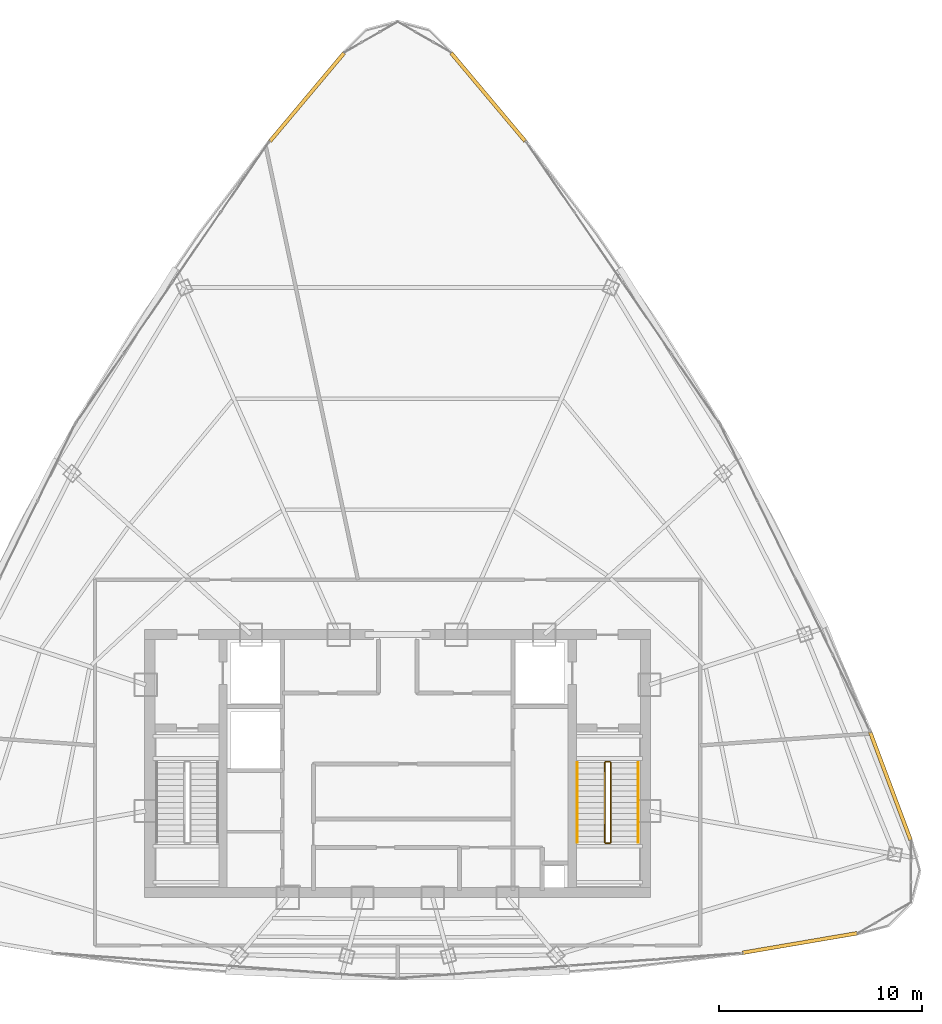
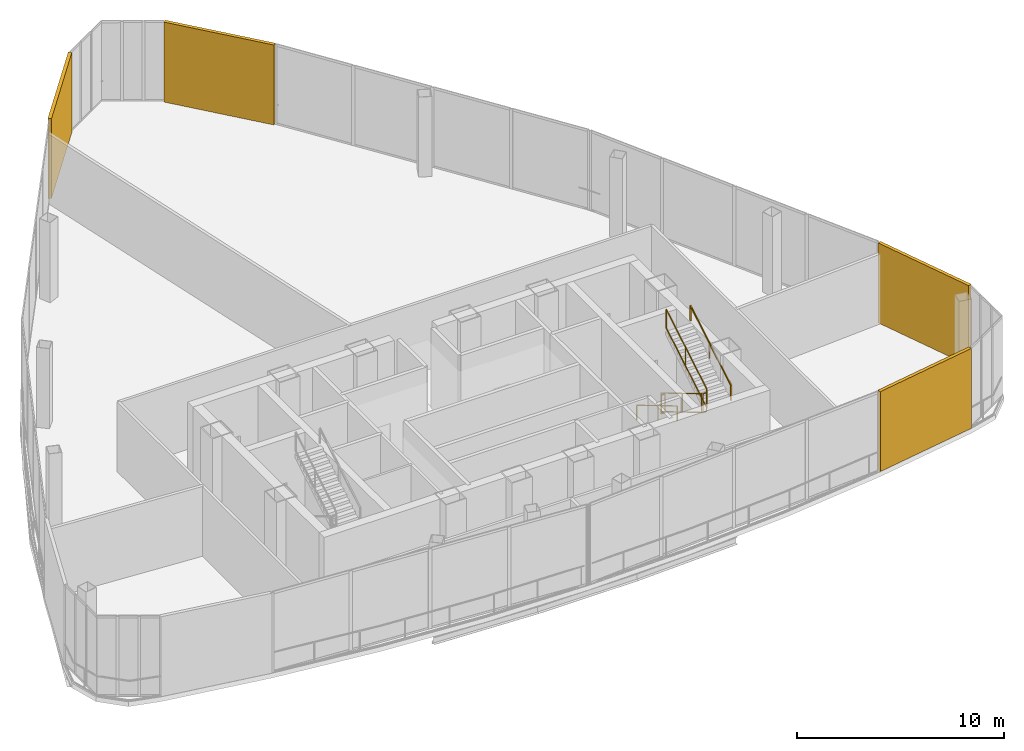
# One storey, part 33 of 33: 6 railings, 4 shading devices.
"""IFC4 building model written with IfcOpenShell, lengths in metres."""

from ifc_helpers import new_model, si_unit, direction, frame, origin, origin_2d, place, context, subcontext, project, spatial, rectangle, extrude, source, transform, mapped, material, layer, layer_set, type_object, element, save


model = new_model("IFC4")

# Units and contexts
model_context = context("Model", 3, precision=1e-05, world=origin(), true_north=direction((0.0, 1.0)))
body_context = subcontext(model_context, "Body", "Model", "MODEL_VIEW")
ifc_project = project(units=[si_unit("LENGTHUNIT", "METRE"), si_unit("AREAUNIT", "SQUARE_METRE"), si_unit("VOLUMEUNIT", "CUBIC_METRE"), si_unit("PLANEANGLEUNIT", "RADIAN"), si_unit("MASSUNIT", "GRAM", prefix="KILO"), si_unit("THERMODYNAMICTEMPERATUREUNIT", "KELVIN"), si_unit("POWERUNIT", "WATT")], contexts=[model_context])

# Site, building, storey
site_placement = place(None, origin())
site = spatial("IfcSite", under=ifc_project, at=site_placement, CompositionType="ELEMENT")
building_placement = place(site_placement, origin())
building = spatial("IfcBuilding", under=site, at=building_placement, Name="Yunzhuo Pagoda Commons", CompositionType="ELEMENT")
storey_placement = place(building_placement, frame((0.0, 0.0, 386.760009765625)))
storey = spatial("IfcBuildingStorey", under=building, at=storey_placement, Name="L96", CompositionType="ELEMENT", Elevation=386.760009765625)

# Railings
ifc_material = material(Name="Anodized aluminium 6063-T6", Category="aluminium")
railing_type_1 = type_object("IfcRailingType", Name="GR-ST2 Stair Well Guardrail 1160", PredefinedType="GUARDRAIL", material=ifc_material)
railing_1_placement = place(storey_placement, frame((58.199951171875, 33.89990234375, 0.166748046875)))
element("IfcRailing", 1, at=railing_1_placement, inside=storey, type_object=railing_type_1, Name="L96 ST2 stair guard 1", PredefinedType="GUARDRAIL", context=body_context, shape_type="SweptSolid", body=[
    extrude(rectangle(XDim=0.048095703125, YDim=0.048095703125, at=origin_2d()), frame((0.0, 0.0, 1.1259765625), z_axis=(0.0, -0.859296244711, 0.511478214419), x_axis=(1.0, 0.0, 0.0)), (0.0, 0.0, 1.0), 4.561767578125),
    extrude(rectangle(XDim=0.048095703125, YDim=0.048095703125, at=origin_2d()), frame((0.0, 0.0, 0.02392578125), z_axis=(0.0, -0.859296244711, 0.511478214419), x_axis=(1.0, 0.0, 0.0)), (0.0, 0.0, 1.0), 4.561767578125),
    extrude(rectangle(XDim=0.0419921875, YDim=0.0419921875, at=origin_2d()), origin(), (0.0, 0.0, 1.0), 1.101806640625),
    extrude(rectangle(XDim=0.0419921875, YDim=0.0419921875, at=origin_2d()), frame((0.0, -2.062255859375, 1.2275390625)), (0.0, 0.0, 1.0), 1.101806640625),
    extrude(rectangle(XDim=0.0419921875, YDim=0.0419921875, at=origin_2d()), frame((0.0, -3.919921875, 2.333251953125)), (0.0, 0.0, 1.0), 1.101806640625),
])
railing_2_placement = place(storey_placement, frame((58.25, 29.929931640625, 2.5)))
element("IfcRailing", 2, at=railing_2_placement, inside=storey, type_object=railing_type_1, Name="L96 ST2 stair guard 2", PredefinedType="GUARDRAIL", context=body_context, shape_type="SweptSolid", body=[
    extrude(rectangle(XDim=0.048095703125, YDim=0.048095703125, at=origin_2d()), frame((0.0, 0.0, 1.1259765625), z_axis=(1.0, 0.0, 0.0), x_axis=(0.0, 1.0, 0.0)), (0.0, 0.0, 1.0), 0.199951171875),
    extrude(rectangle(XDim=0.048095703125, YDim=0.048095703125, at=origin_2d()), frame((0.0, 0.0, 0.02392578125), z_axis=(1.0, 0.0, 0.0), x_axis=(0.0, 1.0, 0.0)), (0.0, 0.0, 1.0), 0.199951171875),
    extrude(rectangle(XDim=0.0419921875, YDim=0.0419921875, at=origin_2d()), origin(), (0.0, 0.0, 1.0), 1.101806640625),
    extrude(rectangle(XDim=0.0419921875, YDim=0.0419921875, at=origin_2d()), frame((0.199951171875, 0.0, 0.0)), (0.0, 0.0, 1.0), 1.101806640625),
])
railing_3_placement = place(storey_placement, frame((58.5, 29.97998046875, 2.666748046875)))
element("IfcRailing", 3, at=railing_3_placement, inside=storey, type_object=railing_type_1, Name="L96 ST2 stair guard 3", PredefinedType="GUARDRAIL", context=body_context, shape_type="SweptSolid", body=[
    extrude(rectangle(XDim=0.048095703125, YDim=0.048095703125, at=origin_2d()), frame((0.0, 0.0, 1.1259765625), z_axis=(0.0, 0.859296244711, 0.511478214419), x_axis=(-1.0, 0.0, 0.0)), (0.0, 0.0, 1.0), 4.561767578125),
    extrude(rectangle(XDim=0.048095703125, YDim=0.048095703125, at=origin_2d()), frame((0.0, 0.0, 0.02392578125), z_axis=(0.0, 0.859296244711, 0.511478214419), x_axis=(-1.0, 0.0, 0.0)), (0.0, 0.0, 1.0), 4.561767578125),
    extrude(rectangle(XDim=0.0419921875, YDim=0.0419921875, at=origin_2d()), origin(), (0.0, 0.0, 1.0), 1.101806640625),
    extrude(rectangle(XDim=0.0419921875, YDim=0.0419921875, at=origin_2d()), frame((0.0, 2.062255859375, 1.2275390625)), (0.0, 0.0, 1.0), 1.101806640625),
    extrude(rectangle(XDim=0.0419921875, YDim=0.0419921875, at=origin_2d()), frame((0.0, 3.919921875, 2.333251953125)), (0.0, 0.0, 1.0), 1.101806640625),
])
railing_4_placement = place(storey_placement, frame((58.25, 33.949951171875, 0.0)))
element("IfcRailing", 4, at=railing_4_placement, inside=storey, type_object=railing_type_1, Name="L96 ST2 stair guard 4", PredefinedType="GUARDRAIL", context=body_context, shape_type="SweptSolid", body=[
    extrude(rectangle(XDim=0.048095703125, YDim=0.048095703125, at=origin_2d()), frame((0.0, 0.0, 1.1259765625), z_axis=(1.0, 0.0, 0.0), x_axis=(0.0, 1.0, 0.0)), (0.0, 0.0, 1.0), 0.199951171875),
    extrude(rectangle(XDim=0.048095703125, YDim=0.048095703125, at=origin_2d()), frame((0.0, 0.0, 0.02392578125), z_axis=(1.0, 0.0, 0.0), x_axis=(0.0, 1.0, 0.0)), (0.0, 0.0, 1.0), 0.199951171875),
    extrude(rectangle(XDim=0.0419921875, YDim=0.0419921875, at=origin_2d()), origin(), (0.0, 0.0, 1.0), 1.101806640625),
    extrude(rectangle(XDim=0.0419921875, YDim=0.0419921875, at=origin_2d()), frame((0.199951171875, 0.0, 0.0)), (0.0, 0.0, 1.0), 1.101806640625),
])
railing_type_2 = type_object("IfcRailingType", Name="HR-ST2 Stair Handrail 900", PredefinedType="HANDRAIL", material=ifc_material)
railing_5_placement = place(storey_placement, frame((56.85009765625, 33.89990234375, 0.166748046875)))
element("IfcRailing", 5, at=railing_5_placement, inside=storey, type_object=railing_type_2, Name="L96 ST2 stair handrail 1", PredefinedType="HANDRAIL", context=body_context, shape_type="SweptSolid", body=[
    extrude(rectangle(XDim=0.048095703125, YDim=0.048095703125, at=origin_2d()), frame((0.0, 0.0, 0.8759765625), z_axis=(0.0, -0.859296244711, 0.511478214419), x_axis=(1.0, 0.0, 0.0)), (0.0, 0.0, 1.0), 4.561767578125),
    extrude(rectangle(XDim=0.0419921875, YDim=0.0419921875, at=origin_2d()), origin(), (0.0, 0.0, 1.0), 0.851806640625),
    extrude(rectangle(XDim=0.0419921875, YDim=0.0419921875, at=origin_2d()), frame((0.0, -2.062255859375, 1.2275390625)), (0.0, 0.0, 1.0), 0.851806640625),
    extrude(rectangle(XDim=0.0419921875, YDim=0.0419921875, at=origin_2d()), frame((0.0, -3.919921875, 2.333251953125)), (0.0, 0.0, 1.0), 0.851806640625),
])
railing_6_placement = place(storey_placement, frame((59.85009765625, 29.97998046875, 2.666748046875)))
element("IfcRailing", 6, at=railing_6_placement, inside=storey, type_object=railing_type_2, Name="L96 ST2 stair handrail 2", PredefinedType="HANDRAIL", context=body_context, shape_type="SweptSolid", body=[
    extrude(rectangle(XDim=0.048095703125, YDim=0.048095703125, at=origin_2d()), frame((0.0, 0.0, 0.8759765625), z_axis=(0.0, 0.859296244711, 0.511478214419), x_axis=(-1.0, 0.0, 0.0)), (0.0, 0.0, 1.0), 4.561767578125),
    extrude(rectangle(XDim=0.0419921875, YDim=0.0419921875, at=origin_2d()), origin(), (0.0, 0.0, 1.0), 0.851806640625),
    extrude(rectangle(XDim=0.0419921875, YDim=0.0419921875, at=origin_2d()), frame((0.0, 2.062255859375, 1.2275390625)), (0.0, 0.0, 1.0), 0.851806640625),
    extrude(rectangle(XDim=0.0419921875, YDim=0.0419921875, at=origin_2d()), frame((0.0, 3.919921875, 2.333251953125)), (0.0, 0.0, 1.0), 0.851806640625),
])

# Shading devices
ifc_layer = layer(ifc_material, 0.179931640625)
ifc_layer_set = layer_set([ifc_layer], Name="Anodized aluminium 6063-T6")
shading_device_type = type_object("IfcShadingDeviceType", Name="SH-SCR2 Crown Drum Acoustic Louvre Screen", PredefinedType="JALOUSIE", material=ifc_layer_set)
shared_shape_1 = source(origin(), body_context, "Body", "SweptSolid", [
    extrude(rectangle(XDim=5.72314453125, YDim=0.179931640625, at=origin_2d()), origin(), (0.0, 0.0, 1.0), 4.719970703125),
])
shading_device_placement = place(storey_placement, frame((67.798583984375, 25.014404296875, 0.0), z_axis=(0.0, 0.0, 1.0), x_axis=(0.985803279142, 0.16790442172, 0.0)))
element("IfcShadingDevice", 7, at=shading_device_placement, inside=storey, type_object=shading_device_type, Name="L96 crown plant drum screen F1.7", PredefinedType="JALOUSIE", context=body_context, shape_type="MappedRepresentation", body=[
    mapped(shared_shape_1, transform((0.0, 0.0, 0.0), scale=1.0)),
])
shared_shape_2 = source(origin(), body_context, "Body", "SweptSolid", [
    extrude(rectangle(XDim=5.67724609375, YDim=0.179931640625, at=origin_2d()), origin(), (0.0, 0.0, 1.0), 4.719970703125),
])
for number, where, z_axis, x_axis, name in (
    (8, (72.258544921875, 32.74169921875, 0.0), (0.0, 0.0, 1.0), (-0.350697773643, 0.936488692704, 0.0), "L96 crown plant drum screen F2.0"),
    (9, (52.460205078125, 66.658203125, 0.0), (0.0, 0.0, 1.0), (-0.643014871351, 0.76585369048, 0.0), "L96 crown plant drum screen F2.7"),
    (10, (43.539794921875, 66.658203125, 0.0), (0.0, 0.0, 1.0), (-0.643014871351, -0.76585369048, 0.0), "L96 crown plant drum screen F3.0"),
):
    element("IfcShadingDevice", number, at=place(storey_placement, frame(where, z_axis=z_axis, x_axis=x_axis)), inside=storey, type_object=shading_device_type, Name=name, PredefinedType="JALOUSIE", context=body_context, shape_type="MappedRepresentation", body=[
        mapped(shared_shape_2, transform((0.0, 0.0, 0.0), scale=1.0)),
    ])

save(model, "model.ifc")
